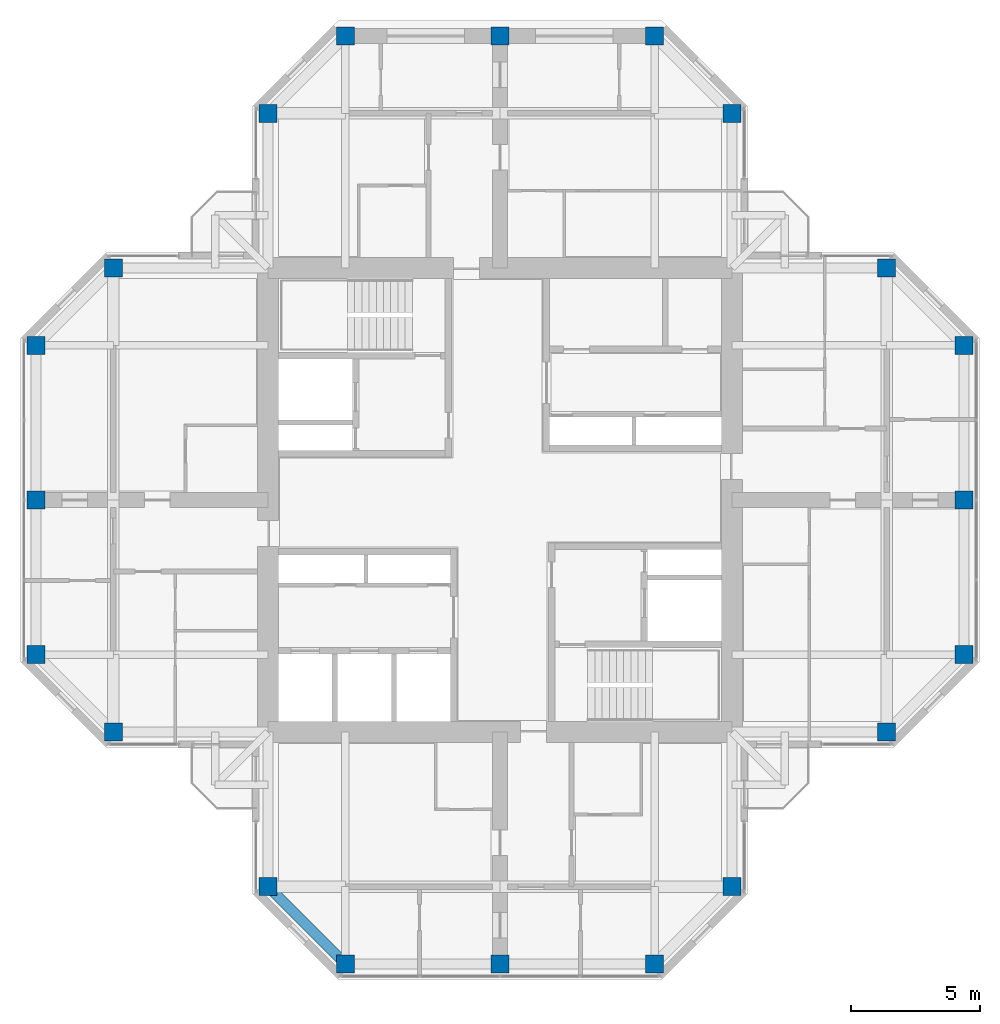
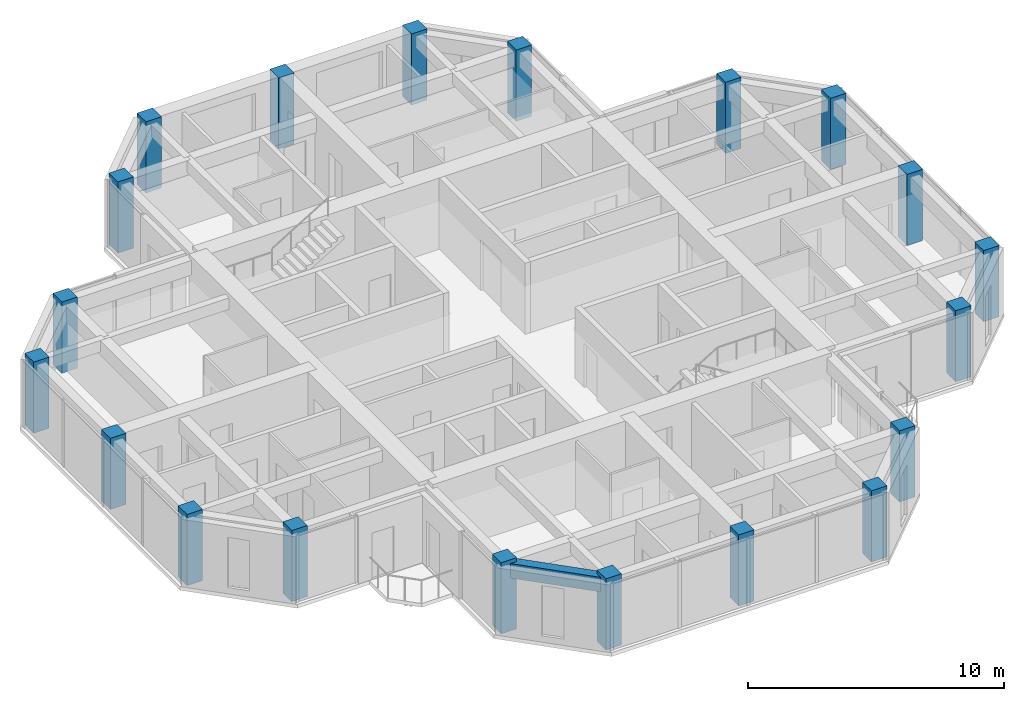
# One storey, part 1 of 13: 20 columns, 1 beam.
"""IFC4 building model written with IfcOpenShell, lengths in metres."""

from ifc_helpers import new_model, si_unit, direction, frame, origin, origin_2d, place, context, subcontext, project, spatial, rectangle, extrude, material, material_profile, profile_set, type_object, element, save


model = new_model("IFC4")

# Units and contexts
model_context = context("Model", 3, precision=1e-05, world=origin(), true_north=direction((0.0, 1.0)))
body_context = subcontext(model_context, "Body", "Model", "MODEL_VIEW")
ifc_project = project(units=[si_unit("LENGTHUNIT", "METRE"), si_unit("AREAUNIT", "SQUARE_METRE"), si_unit("VOLUMEUNIT", "CUBIC_METRE"), si_unit("PLANEANGLEUNIT", "RADIAN"), si_unit("MASSUNIT", "GRAM", prefix="KILO")], contexts=[model_context])

# Site, building, storey
site_placement = place(None, origin())
site = spatial("IfcSite", under=ifc_project, at=site_placement, CompositionType="ELEMENT")
building_placement = place(site_placement, origin())
building = spatial("IfcBuilding", under=site, at=building_placement, Name="Torre Cruceta", CompositionType="ELEMENT")
storey_placement = place(building_placement, frame((0.0, 0.0, 281.5)))
storey = spatial("IfcBuildingStorey", under=building, at=storey_placement, Name="L73", CompositionType="ELEMENT", Elevation=281.5)

# Columns
ifc_material_1 = material(Name="Concrete G60 (fck 60 MPa)", Category="concrete")
ifc_material_profile_1 = material_profile(ifc_material_1, rectangle(XDim=0.699951171875, YDim=0.699951171875, at=origin_2d()), Name="RC 700X700")
ifc_profile_set_1 = profile_set([ifc_material_profile_1], Name="Concrete G60 (fck 60 MPa)")
column_type = type_object("IfcColumnType", Name="COLUMN RC 700X700", PredefinedType="COLUMN", material=ifc_profile_set_1)
for number, where, z_axis, x_axis, name in (
    (1, (9.0, 15.0, 0.0), (0.0, 0.0, 1.0), (1.0, 0.0, 0.0), "C8 L73 N chamfer"),
    (2, (-9.0, 15.0, 0.0), (0.0, 0.0, 1.0), (1.0, 0.0, 0.0), "C8 L73 N chamfer"),
    (3, (6.0, 18.0, 0.0), (0.0, 0.0, 1.0), (1.0, 0.0, 0.0), "C8 L73 N tip"),
    (4, (0.0, 18.0, 0.0), (0.0, 0.0, 1.0), (1.0, 0.0, 0.0), "C8 L73 N tip"),
    (5, (-6.0, 18.0, 0.0), (0.0, 0.0, 1.0), (1.0, 0.0, 0.0), "C8 L73 N tip"),
    (6, (15.0, -9.0, 0.0), (0.0, 0.0, 1.0), (1.0, 0.0, 0.0), "C8 L73 E chamfer"),
    (7, (15.0, 9.0, 0.0), (0.0, 0.0, 1.0), (1.0, 0.0, 0.0), "C8 L73 E chamfer"),
    (8, (18.0, -6.0, 0.0), (0.0, 0.0, 1.0), (1.0, 0.0, 0.0), "C8 L73 E tip"),
    (9, (18.0, 0.0, 0.0), (0.0, 0.0, 1.0), (1.0, 0.0, 0.0), "C8 L73 E tip"),
    (10, (18.0, 6.0, 0.0), (0.0, 0.0, 1.0), (1.0, 0.0, 0.0), "C8 L73 E tip"),
    (11, (-9.0, -15.0, 0.0), (0.0, 0.0, 1.0), (1.0, 0.0, 0.0), "C8 L73 S chamfer"),
    (12, (9.0, -15.0, 0.0), (0.0, 0.0, 1.0), (1.0, 0.0, 0.0), "C8 L73 S chamfer"),
    (13, (-6.0, -18.0, 0.0), (0.0, 0.0, 1.0), (1.0, 0.0, 0.0), "C8 L73 S tip"),
    (14, (0.0, -18.0, 0.0), (0.0, 0.0, 1.0), (1.0, 0.0, 0.0), "C8 L73 S tip"),
    (15, (6.0, -18.0, 0.0), (0.0, 0.0, 1.0), (1.0, 0.0, 0.0), "C8 L73 S tip"),
    (16, (-15.0, 9.0, 0.0), (0.0, 0.0, 1.0), (1.0, 0.0, 0.0), "C8 L73 W chamfer"),
    (17, (-15.0, -9.0, 0.0), (0.0, 0.0, 1.0), (1.0, 0.0, 0.0), "C8 L73 W chamfer"),
    (18, (-18.0, 6.0, 0.0), (0.0, 0.0, 1.0), (1.0, 0.0, 0.0), "C8 L73 W tip"),
    (19, (-18.0, 0.0, 0.0), (0.0, 0.0, 1.0), (1.0, 0.0, 0.0), "C8 L73 W tip"),
    (20, (-18.0, -6.0, 0.0), (0.0, 0.0, 1.0), (1.0, 0.0, 0.0), "C8 L73 W tip"),
):
    element("IfcColumn", number, at=place(storey_placement, frame(where, z_axis=z_axis, x_axis=x_axis)), inside=storey, type_object=column_type, Name=name, PredefinedType="COLUMN", context=body_context, shape_type="SweptSolid", body=[
        extrude(rectangle(XDim=0.699951171875, YDim=0.699951171875, at=origin_2d()), origin(), (0.0, 0.0, 1.0), 3.39990234375),
    ])

# Beam
ifc_material_2 = material(Name="Concrete G60 (fck 60 MPa)", Category="concrete")
ifc_material_profile_2 = material_profile(ifc_material_2, rectangle(XDim=0.39990234375, YDim=0.699951171875, at=origin_2d()), Name="RC 400X700")
ifc_profile_set_2 = profile_set([ifc_material_profile_2], Name="Concrete G60 (fck 60 MPa)")
beam_type = type_object("IfcBeamType", Name="SPANDREL BEAM RC 400X700", PredefinedType="SPANDREL", material=ifc_profile_set_2)
beam_placement = place(storey_placement, frame((-9.0, -15.0, 2.8701171875), z_axis=(0.707106781187, -0.707106781187, 0.0), x_axis=(0.707106781187, 0.707106781187, 0.0)))
element("IfcBeam", 21, at=beam_placement, inside=storey, type_object=beam_type, Name="SB8 L73 S side- 2", PredefinedType="SPANDREL", context=body_context, shape_type="SweptSolid", body=[
    extrude(rectangle(XDim=0.39990234375, YDim=0.699951171875, at=origin_2d()), origin(), (0.0, 0.0, 1.0), 4.24267578125),
])

save(model, "model.ifc")
